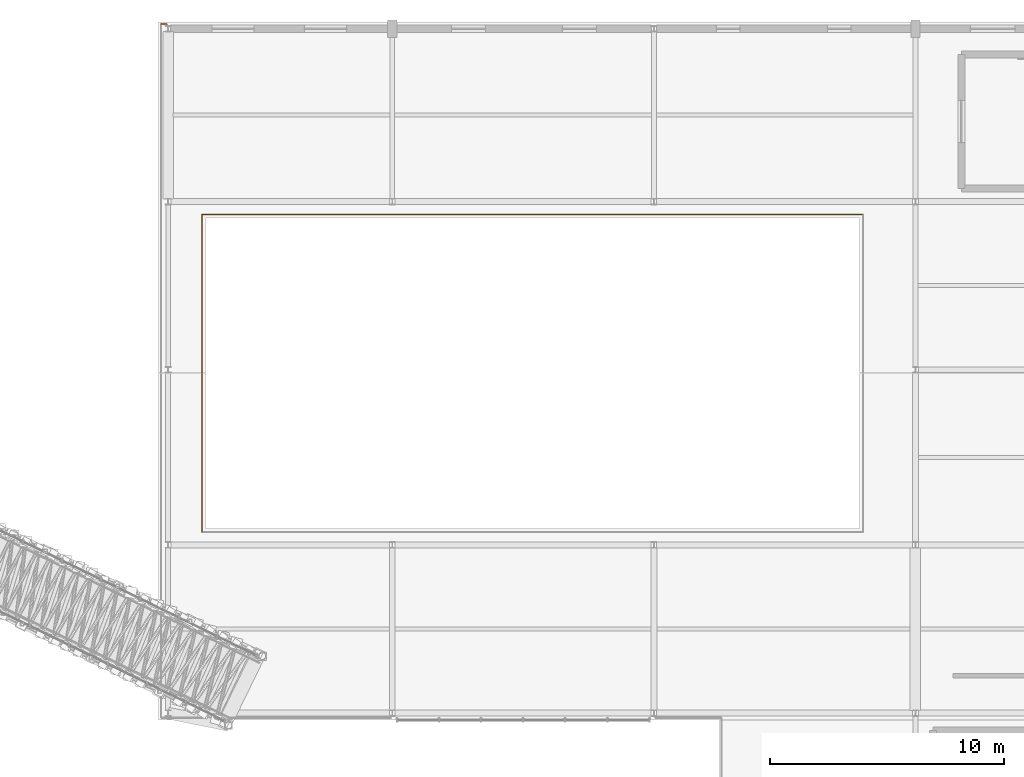
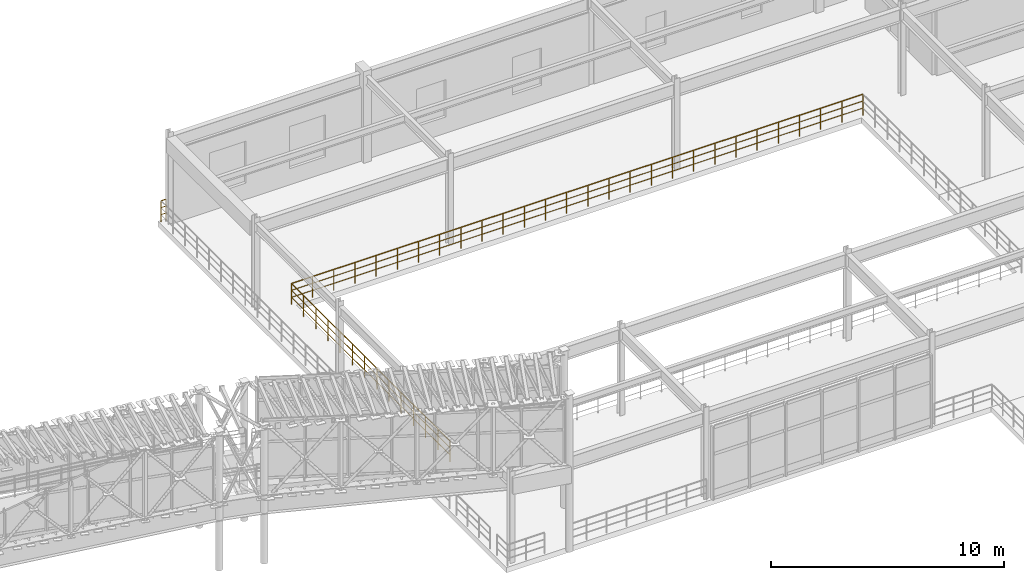
# One storey, part 141 of 144: 3 railings.
"""IFC4 building model written with IfcOpenShell, lengths in metres."""

from ifc_helpers import new_model, si_unit, direction, frame, origin, origin_2d, place, context, subcontext, project, spatial, circle, extrude, material, type_object, element, save


model = new_model("IFC4")

# Units and contexts
model_context = context("Model", 3, precision=1e-05, world=origin(), true_north=direction((0.0, 1.0)))
body_context = subcontext(model_context, "Body", "Model", "MODEL_VIEW")
ifc_project = project(units=[si_unit("LENGTHUNIT", "METRE"), si_unit("AREAUNIT", "SQUARE_METRE"), si_unit("VOLUMEUNIT", "CUBIC_METRE"), si_unit("PLANEANGLEUNIT", "RADIAN"), si_unit("MASSUNIT", "GRAM", prefix="KILO")], contexts=[model_context])

# Site, building, storey
site_placement = place(None, origin())
site = spatial("IfcSite", under=ifc_project, at=site_placement, CompositionType="ELEMENT")
building_placement = place(site_placement, origin())
building = spatial("IfcBuilding", under=site, at=building_placement, Name="Cinderbank Siding Concert Hall", CompositionType="ELEMENT")
storey_placement = place(building_placement, frame((0.0, 0.0, 5.39990234375)))
storey = spatial("IfcBuildingStorey", under=building, at=storey_placement, Name="L02", CompositionType="ELEMENT", Elevation=5.39990234375)

# Railings
ifc_material_1 = material(Name="Spotted gum glulam timber GL18 (42 MPa)", Category="wood")
railing_type_1 = type_object("IfcRailingType", Name="BAL-01 Auditorium Tier Balustrade 1120mm", PredefinedType="BALUSTRADE", material=ifc_material_1)
railing_1_placement = place(storey_placement, frame((148.14990234375, 109.949951171875, 0.0)))
element("IfcRailing", 1, at=railing_1_placement, inside=storey, type_object=railing_type_1, Name="L02 OR Gallery Balustrade 2", PredefinedType="BALUSTRADE", context=body_context, shape_type="SweptSolid", body=[
    extrude(circle(Radius=0.02392578125, at=origin_2d()), frame((0.0, 0.0, 1.09619140625), z_axis=(-1.0, 0.0, 0.0), x_axis=(0.0, -1.0, 0.0)), (0.0, 0.0, 1.0), 28.2998046875),
    extrude(circle(Radius=0.01611328125, at=origin_2d()), frame((0.0, 0.0, 0.36962890625), z_axis=(-1.0, 0.0, 0.0), x_axis=(0.0, -1.0, 0.0)), (0.0, 0.0, 1.0), 28.2998046875),
    extrude(circle(Radius=0.01611328125, at=origin_2d()), frame((0.0, 0.0, 0.7392578125), z_axis=(-1.0, 0.0, 0.0), x_axis=(0.0, -1.0, 0.0)), (0.0, 0.0, 1.0), 28.2998046875),
    extrude(circle(Radius=0.02099609375, at=origin_2d()), origin(), (0.0, 0.0, 1.0), 1.072021484375),
    extrude(circle(Radius=0.02099609375, at=origin_2d()), frame((-1.048095703125, 0.0, 0.0)), (0.0, 0.0, 1.0), 1.072021484375),
    extrude(circle(Radius=0.02099609375, at=origin_2d()), frame((-2.09619140625, 0.0, 0.0)), (0.0, 0.0, 1.0), 1.072021484375),
    extrude(circle(Radius=0.02099609375, at=origin_2d()), frame((-3.14453125, 0.0, 0.0)), (0.0, 0.0, 1.0), 1.072021484375),
    extrude(circle(Radius=0.02099609375, at=origin_2d()), frame((-4.192626953125, 0.0, 0.0)), (0.0, 0.0, 1.0), 1.072021484375),
    extrude(circle(Radius=0.02099609375, at=origin_2d()), frame((-5.24072265625, 0.0, 0.0)), (0.0, 0.0, 1.0), 1.072021484375),
    extrude(circle(Radius=0.02099609375, at=origin_2d()), frame((-6.288818359375, 0.0, 0.0)), (0.0, 0.0, 1.0), 1.072021484375),
    extrude(circle(Radius=0.02099609375, at=origin_2d()), frame((-7.3369140625, 0.0, 0.0)), (0.0, 0.0, 1.0), 1.072021484375),
    extrude(circle(Radius=0.02099609375, at=origin_2d()), frame((-8.385009765625, 0.0, 0.0)), (0.0, 0.0, 1.0), 1.072021484375),
    extrude(circle(Radius=0.02099609375, at=origin_2d()), frame((-9.433349609375, 0.0, 0.0)), (0.0, 0.0, 1.0), 1.072021484375),
    extrude(circle(Radius=0.02099609375, at=origin_2d()), frame((-10.4814453125, 0.0, 0.0)), (0.0, 0.0, 1.0), 1.072021484375),
    extrude(circle(Radius=0.02099609375, at=origin_2d()), frame((-11.529541015625, 0.0, 0.0)), (0.0, 0.0, 1.0), 1.072021484375),
    extrude(circle(Radius=0.02099609375, at=origin_2d()), frame((-12.57763671875, 0.0, 0.0)), (0.0, 0.0, 1.0), 1.072021484375),
    extrude(circle(Radius=0.02099609375, at=origin_2d()), frame((-13.625732421875, 0.0, 0.0)), (0.0, 0.0, 1.0), 1.072021484375),
    extrude(circle(Radius=0.02099609375, at=origin_2d()), frame((-14.674072265625, 0.0, 0.0)), (0.0, 0.0, 1.0), 1.072021484375),
    extrude(circle(Radius=0.02099609375, at=origin_2d()), frame((-15.72216796875, 0.0, 0.0)), (0.0, 0.0, 1.0), 1.072021484375),
    extrude(circle(Radius=0.02099609375, at=origin_2d()), frame((-16.770263671875, 0.0, 0.0)), (0.0, 0.0, 1.0), 1.072021484375),
    extrude(circle(Radius=0.02099609375, at=origin_2d()), frame((-17.818359375, 0.0, 0.0)), (0.0, 0.0, 1.0), 1.072021484375),
    extrude(circle(Radius=0.02099609375, at=origin_2d()), frame((-18.866455078125, 0.0, 0.0)), (0.0, 0.0, 1.0), 1.072021484375),
    extrude(circle(Radius=0.02099609375, at=origin_2d()), frame((-19.914794921875, 0.0, 0.0)), (0.0, 0.0, 1.0), 1.072021484375),
    extrude(circle(Radius=0.02099609375, at=origin_2d()), frame((-20.962890625, 0.0, 0.0)), (0.0, 0.0, 1.0), 1.072021484375),
    extrude(circle(Radius=0.02099609375, at=origin_2d()), frame((-22.010986328125, 0.0, 0.0)), (0.0, 0.0, 1.0), 1.072021484375),
    extrude(circle(Radius=0.02099609375, at=origin_2d()), frame((-23.05908203125, 0.0, 0.0)), (0.0, 0.0, 1.0), 1.072021484375),
    extrude(circle(Radius=0.02099609375, at=origin_2d()), frame((-24.107177734375, 0.0, 0.0)), (0.0, 0.0, 1.0), 1.072021484375),
    extrude(circle(Radius=0.02099609375, at=origin_2d()), frame((-25.1552734375, 0.0, 0.0)), (0.0, 0.0, 1.0), 1.072021484375),
    extrude(circle(Radius=0.02099609375, at=origin_2d()), frame((-26.20361328125, 0.0, 0.0)), (0.0, 0.0, 1.0), 1.072021484375),
    extrude(circle(Radius=0.02099609375, at=origin_2d()), frame((-27.251708984375, 0.0, 0.0)), (0.0, 0.0, 1.0), 1.072021484375),
    extrude(circle(Radius=0.02099609375, at=origin_2d()), frame((-28.2998046875, 0.0, 0.0)), (0.0, 0.0, 1.0), 1.072021484375),
])
railing_2_placement = place(storey_placement, frame((119.85009765625, 109.949951171875, 0.0)))
element("IfcRailing", 2, at=railing_2_placement, inside=storey, type_object=railing_type_1, Name="L02 OR Gallery Balustrade 3", PredefinedType="BALUSTRADE", context=body_context, shape_type="SweptSolid", body=[
    extrude(circle(Radius=0.02392578125, at=origin_2d()), frame((0.0, 0.0, 1.09619140625), z_axis=(0.0, -1.0, 0.0), x_axis=(1.0, 0.0, 0.0)), (0.0, 0.0, 1.0), 13.599853515625),
    extrude(circle(Radius=0.01611328125, at=origin_2d()), frame((0.0, 0.0, 0.36962890625), z_axis=(0.0, -1.0, 0.0), x_axis=(1.0, 0.0, 0.0)), (0.0, 0.0, 1.0), 13.599853515625),
    extrude(circle(Radius=0.01611328125, at=origin_2d()), frame((0.0, 0.0, 0.7392578125), z_axis=(0.0, -1.0, 0.0), x_axis=(1.0, 0.0, 0.0)), (0.0, 0.0, 1.0), 13.599853515625),
    extrude(circle(Radius=0.02099609375, at=origin_2d()), origin(), (0.0, 0.0, 1.0), 1.072021484375),
    extrude(circle(Radius=0.02099609375, at=origin_2d()), frame((0.0, -1.046142578125, 0.0)), (0.0, 0.0, 1.0), 1.072021484375),
    extrude(circle(Radius=0.02099609375, at=origin_2d()), frame((0.0, -2.09228515625, 0.0)), (0.0, 0.0, 1.0), 1.072021484375),
    extrude(circle(Radius=0.02099609375, at=origin_2d()), frame((0.0, -3.138427734375, 0.0)), (0.0, 0.0, 1.0), 1.072021484375),
    extrude(circle(Radius=0.02099609375, at=origin_2d()), frame((0.0, -4.1845703125, 0.0)), (0.0, 0.0, 1.0), 1.072021484375),
    extrude(circle(Radius=0.02099609375, at=origin_2d()), frame((0.0, -5.230712890625, 0.0)), (0.0, 0.0, 1.0), 1.072021484375),
    extrude(circle(Radius=0.02099609375, at=origin_2d()), frame((0.0, -6.27685546875, 0.0)), (0.0, 0.0, 1.0), 1.072021484375),
    extrude(circle(Radius=0.02099609375, at=origin_2d()), frame((0.0, -7.322998046875, 0.0)), (0.0, 0.0, 1.0), 1.072021484375),
    extrude(circle(Radius=0.02099609375, at=origin_2d()), frame((0.0, -8.369140625, 0.0)), (0.0, 0.0, 1.0), 1.072021484375),
    extrude(circle(Radius=0.02099609375, at=origin_2d()), frame((0.0, -9.415283203125, 0.0)), (0.0, 0.0, 1.0), 1.072021484375),
    extrude(circle(Radius=0.02099609375, at=origin_2d()), frame((0.0, -10.46142578125, 0.0)), (0.0, 0.0, 1.0), 1.072021484375),
    extrude(circle(Radius=0.02099609375, at=origin_2d()), frame((0.0, -11.507568359375, 0.0)), (0.0, 0.0, 1.0), 1.072021484375),
    extrude(circle(Radius=0.02099609375, at=origin_2d()), frame((0.0, -12.5537109375, 0.0)), (0.0, 0.0, 1.0), 1.072021484375),
    extrude(circle(Radius=0.02099609375, at=origin_2d()), frame((0.0, -13.599853515625, 0.0)), (0.0, 0.0, 1.0), 1.072021484375),
])
ifc_material_2 = material(Name="Structural steel AS/NZS 3679.1 Grade 350 (340 MPa)", Category="steel")
railing_type_2 = type_object("IfcRailingType", Name="GD-01 Terrace & Perimeter Guardrail 1120mm", PredefinedType="GUARDRAIL", material=ifc_material_2)
railing_3_placement = place(storey_placement, frame((118.10009765625, 118.10009765625, 0.0)))
element("IfcRailing", 3, at=railing_3_placement, inside=storey, type_object=railing_type_2, Name="L02 Perimeter Guardrail #38", PredefinedType="GUARDRAIL", context=body_context, shape_type="SweptSolid", body=[
    extrude(circle(Radius=0.02392578125, at=origin_2d()), frame((0.0, 0.0, 1.09619140625), z_axis=(1.0, 0.0, 0.0), x_axis=(0.0, 1.0, 0.0)), (0.0, 0.0, 1.0), 0.246826171875),
    extrude(circle(Radius=0.01611328125, at=origin_2d()), frame((0.0, 0.0, 0.36962890625), z_axis=(1.0, 0.0, 0.0), x_axis=(0.0, 1.0, 0.0)), (0.0, 0.0, 1.0), 0.246826171875),
    extrude(circle(Radius=0.01611328125, at=origin_2d()), frame((0.0, 0.0, 0.7392578125), z_axis=(1.0, 0.0, 0.0), x_axis=(0.0, 1.0, 0.0)), (0.0, 0.0, 1.0), 0.246826171875),
    extrude(circle(Radius=0.02099609375, at=origin_2d()), origin(), (0.0, 0.0, 1.0), 1.072021484375),
    extrude(circle(Radius=0.02099609375, at=origin_2d()), frame((0.246826171875, 0.0, 0.0)), (0.0, 0.0, 1.0), 1.072021484375),
])

save(model, "model.ifc")
